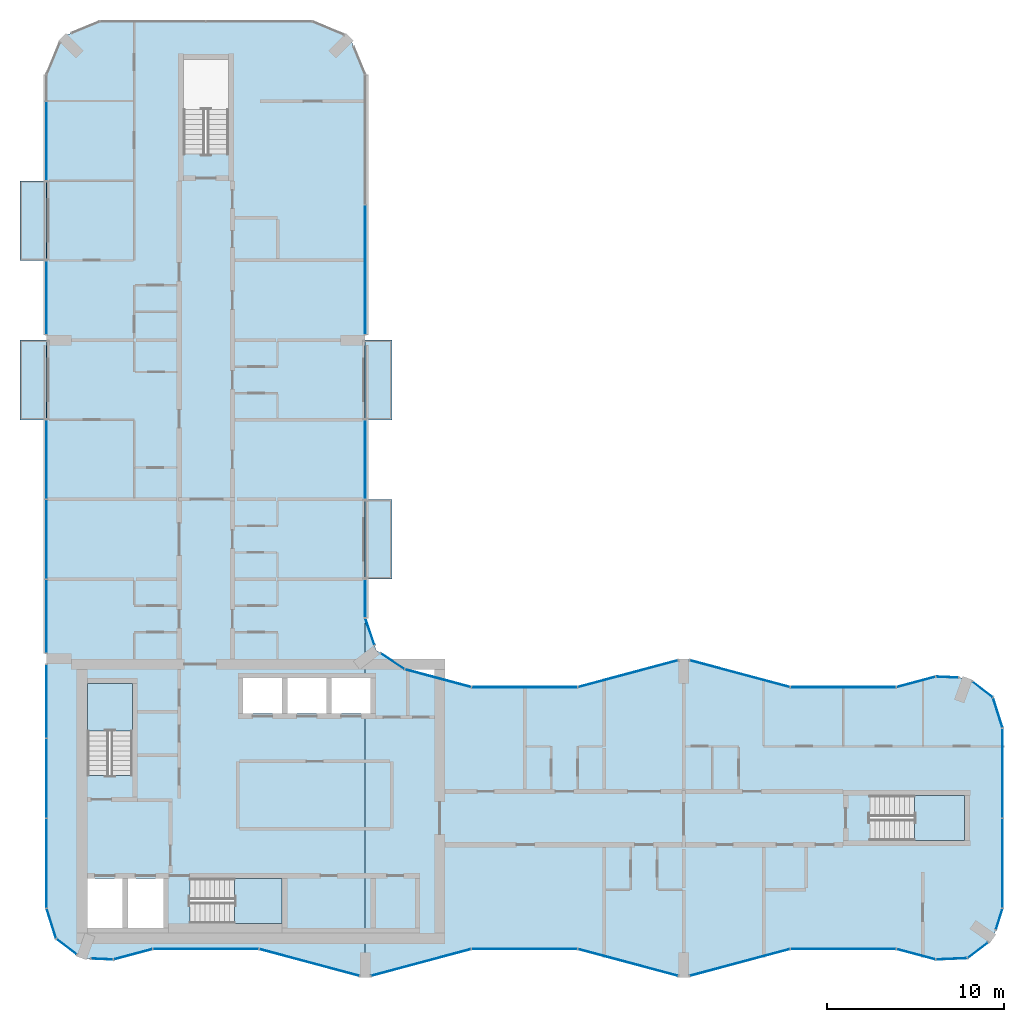
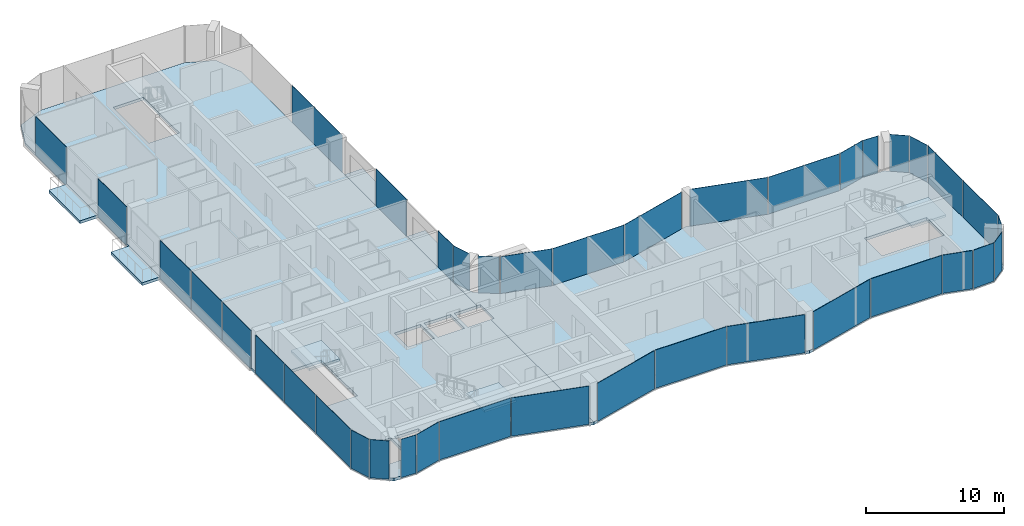
# One storey, part 8 of 15: 39 plates, 9 slabs, 37 elements without a shape of their own.
"""IFC4 building model written with IfcOpenShell, lengths in metres."""

import ifcopenshell
import ifcopenshell.guid

model = None  # the IFC model being written
_history = None  # IfcOwnerHistory: only IFC2X3 demands one
_inside = {}  # id of a spatial element -> (the spatial element, [elements in it])
_under = {}  # id of a project, library or spatial element -> (it, [spatial elements below it])
_declared = {}  # id of a project -> (the project, [libraries it declares])
_typed = {}  # id of a type object -> (the type object, [elements of that type])
_made_of = {}  # id of a material, layer set ... -> (it, [elements and type objects made of it])


def new_model(schema):
    """Start an empty IFC model of exactly this schema.

    Asked for "IFC4X3", IfcOpenShell would pick the latest addendum, in which some entities
    have other attributes; the version numbers below select the first issue.
    IFC2X3 requires an IfcOwnerHistory on every rooted entity: one is made here for all.
    """
    global model, _history
    if schema == "IFC4X3":
        model = ifcopenshell.file(schema_version=(4, 3, 0, 0))
    else:
        model = ifcopenshell.file(schema=schema)
    _inside.clear()
    _under.clear()
    _declared.clear()
    _typed.clear()
    _made_of.clear()
    _history = None
    if model.schema == "IFC2X3":
        org = make("IfcOrganization", Name="unknown")
        user = make(
            "IfcPersonAndOrganization",
            ThePerson=make("IfcPerson", FamilyName="unknown"),
            TheOrganization=org,
        )
        app = make(
            "IfcApplication",
            ApplicationDeveloper=org,
            Version="unknown",
            ApplicationFullName="unknown",
            ApplicationIdentifier="unknown",
        )
        _history = make(
            "IfcOwnerHistory",
            OwningUser=user,
            OwningApplication=app,
            ChangeAction="ADDED",
            CreationDate=0,
        )
    return model


def make(cls, **values):
    """One entity of the class cls with the attributes given. An attribute that is None is left unset."""
    return model.create_entity(
        cls, **{name: value for name, value in values.items() if value is not None}
    )


def rooted(cls, **values):
    """An entity with a GlobalId (a new one), such as an element, a storey or a relation."""
    return make(cls, GlobalId=ifcopenshell.guid.new(), OwnerHistory=_history, **values)


def si_unit(unit_type, name, prefix=None):
    """IfcSIUnit, for example si_unit("LENGTHUNIT", "METRE", prefix="MILLI")."""
    return make("IfcSIUnit", UnitType=unit_type, Prefix=prefix, Name=name)


def assignment(units):
    """IfcUnitAssignment: the units of a project."""
    return None if units is None else make("IfcUnitAssignment", Units=units)


def point(xyz):
    """IfcCartesianPoint."""
    return None if xyz is None else make("IfcCartesianPoint", Coordinates=xyz)


def direction(xyz):
    """IfcDirection."""
    return None if xyz is None else make("IfcDirection", DirectionRatios=xyz)


def frame(location, z_axis=None, x_axis=None):
    """IfcAxis2Placement3D, a coordinate frame: its origin and axes. An axis left out is left unset."""
    return make(
        "IfcAxis2Placement3D",
        Location=point(location),
        Axis=direction(z_axis),
        RefDirection=direction(x_axis),
    )


def frame_2d(location, x_axis=None):
    """IfcAxis2Placement2D, a coordinate frame in the plane: its origin and x axis."""
    return make(
        "IfcAxis2Placement2D", Location=point(location), RefDirection=direction(x_axis)
    )


def origin():
    """The frame at (0, 0, 0) with its axes left unset."""
    return frame((0.0, 0.0, 0.0))


def origin_2d():
    """The frame at (0, 0) in the plane with its x axis left unset."""
    return frame_2d((0.0, 0.0))


def place(relative_to, where):
    """IfcLocalPlacement: puts the frame where relative to a parent placement (None: the world)."""
    return make(
        "IfcLocalPlacement", PlacementRelTo=relative_to, RelativePlacement=where
    )


def context(
    kind, dimensions, precision=None, world=None, true_north=None, identifier=None
):
    """IfcGeometricRepresentationContext, for example the 3D "Model" context."""
    return make(
        "IfcGeometricRepresentationContext",
        ContextIdentifier=identifier,
        ContextType=kind,
        CoordinateSpaceDimension=dimensions,
        Precision=precision,
        WorldCoordinateSystem=world,
        TrueNorth=true_north,
    )


def subcontext(parent, identifier, kind, view, scale=None):
    """IfcGeometricRepresentationSubContext, for example "Body" below "Model"."""
    return make(
        "IfcGeometricRepresentationSubContext",
        ContextIdentifier=identifier,
        ContextType=kind,
        ParentContext=parent,
        TargetScale=scale,
        TargetView=view,
    )


def project(units=None, contexts=None):
    """IfcProject with its units and contexts."""
    return rooted(
        "IfcProject",
        Name="project",
        RepresentationContexts=contexts,
        UnitsInContext=assignment(units),
    )


def spatial(cls, under=None, at=None, **own):
    """A site, building, storey or space (cls), placed at a placement, below another one or the project."""
    s = rooted(cls, ObjectPlacement=at, **own)
    if under is not None:
        _under.setdefault(under.id(), (under, []))[1].append(s)
    return s


def polyline(points):
    """IfcPolyline through the points."""
    return make("IfcPolyline", Points=[point(p) for p in points])


def profile(cls, at=None, kind="AREA", **sizes):
    """A parametric profile (cls). Its sizes go by their IFC names, for example OverallWidth=200.0."""
    return make(cls, ProfileType=kind, Position=at, **sizes)


def rectangle(**sizes):
    """IfcRectangleProfileDef."""
    return profile("IfcRectangleProfileDef", **sizes)


def outline(outer, holes=None, kind="AREA"):
    """IfcArbitraryClosedProfileDef: a profile drawn as a closed curve; with holes, ...WithVoids."""
    if holes is None:
        return make("IfcArbitraryClosedProfileDef", ProfileType=kind, OuterCurve=outer)
    return make(
        "IfcArbitraryProfileDefWithVoids",
        ProfileType=kind,
        OuterCurve=outer,
        InnerCurves=holes,
    )


def extrude(swept, where, along, depth):
    """IfcExtrudedAreaSolid: the profile swept, set in the frame where, extruded along a direction by depth."""
    return make(
        "IfcExtrudedAreaSolid",
        SweptArea=swept,
        Position=where,
        ExtrudedDirection=direction(along),
        Depth=depth,
    )


def shape(context_of_items, identifier, shape_type, items):
    """IfcShapeRepresentation: the items that make up one representation, for example the "Body"."""
    return make(
        "IfcShapeRepresentation",
        ContextOfItems=context_of_items,
        RepresentationIdentifier=identifier,
        RepresentationType=shape_type,
        Items=items,
    )


def material(Name=None, Category=None):
    """IfcMaterial."""
    return make("IfcMaterial", Name=Name, Category=Category)


def layer(
    of_material, thickness, ventilated=None, Name=None, Category=None, Priority=None
):
    """IfcMaterialLayer: one layer of a wall or slab, of a material (None: an air gap)."""
    return make(
        "IfcMaterialLayer",
        Material=of_material,
        LayerThickness=thickness,
        IsVentilated=ventilated,
        Name=Name,
        Category=Category,
        Priority=Priority,
    )


def layer_set(layers, Name=None):
    """IfcMaterialLayerSet."""
    return make("IfcMaterialLayerSet", MaterialLayers=layers, LayerSetName=Name)


def made_of(thing, what):
    """Note that an element or type object is made of a material, layer set ...; save() writes the relation."""
    if what is not None:
        _made_of.setdefault(what.id(), (what, []))[1].append(thing)
    return thing


def type_object(cls, material=None, **own):
    """A type object (cls), such as IfcWallType, which elements share."""
    return made_of(rooted(cls, **own), material)


def element(
    cls,
    number,
    at=None,
    inside=None,
    cuts=None,
    type_object=None,
    material=None,
    context=None,
    identifier="Body",
    shape_type=None,
    held_by="IfcProductDefinitionShape",
    body=None,
    shapes=None,
    **own,
):
    """One element of the class cls, such as IfcWall. Its Tag is "e" and its number.

    at: its placement. inside: the storey or other place that contains it. cuts: it is an
    opening in that element (IfcRelVoidsElement). A single representation is given by context,
    identifier, shape_type and body (its items); several are given by shapes. held_by: the class
    of the entity that holds the representations. save() writes the other relations.
    """
    e = rooted(cls, Tag="e%d" % number, ObjectPlacement=at, **own)
    if body is not None:
        shapes = [shape(context, identifier, shape_type, body)]
    if shapes is not None:
        e.Representation = make(held_by, Representations=shapes)
    if inside is not None:
        _inside.setdefault(inside.id(), (inside, []))[1].append(e)
    if cuts is not None:
        rooted(
            "IfcRelVoidsElement", RelatingBuildingElement=cuts, RelatedOpeningElement=e
        )
    if type_object is not None:
        _typed.setdefault(type_object.id(), (type_object, []))[1].append(e)
    return made_of(e, material)


def aggregate(whole, parts):
    """IfcRelAggregates: a whole, such as a stair, and the parts it consists of."""
    return rooted("IfcRelAggregates", RelatingObject=whole, RelatedObjects=parts)


def save(model, path):
    """Write the relations noted so far, then the file.

    IfcRelAggregates (storeys below a building ...), IfcRelContainedInSpatialStructure (elements
    in a storey), IfcRelDefinesByType, IfcRelAssociatesMaterial and IfcRelDeclares: one each for
    every whole, place, type object, material and project.
    """
    for whole, parts in _under.values():
        aggregate(whole, parts)
    for where, things in _inside.values():
        rooted(
            "IfcRelContainedInSpatialStructure",
            RelatedElements=things,
            RelatingStructure=where,
        )
    for kind, things in _typed.values():
        rooted("IfcRelDefinesByType", RelatedObjects=things, RelatingType=kind)
    for what, things in _made_of.values():
        rooted("IfcRelAssociatesMaterial", RelatedObjects=things, RelatingMaterial=what)
    for by, libraries in _declared.values():
        rooted("IfcRelDeclares", RelatingContext=by, RelatedDefinitions=libraries)
    model.write(path)


model = new_model("IFC4")

# Units and contexts
model_context = context("Model", 3, precision=1e-05, world=origin(), true_north=direction((0.0, 1.0)))
body_context = subcontext(model_context, "Body", "Model", "MODEL_VIEW")
ifc_project = project(units=[si_unit("LENGTHUNIT", "METRE"), si_unit("AREAUNIT", "SQUARE_METRE"), si_unit("VOLUMEUNIT", "CUBIC_METRE"), si_unit("PLANEANGLEUNIT", "RADIAN"), si_unit("MASSUNIT", "GRAM", prefix="KILO")], contexts=[model_context])

# Site, building, storey
site_placement = place(None, origin())
site = spatial("IfcSite", under=ifc_project, at=site_placement, CompositionType="ELEMENT")
building_placement = place(site_placement, origin())
building = spatial("IfcBuilding", under=site, at=building_placement, Name="Plateau Cross Towers", CompositionType="ELEMENT")
storey_placement = place(building_placement, frame((0.0, 0.0, 170.89990234375)))
storey = spatial("IfcBuildingStorey", under=building, at=storey_placement, Name="L44", CompositionType="ELEMENT", Elevation=170.89990234375)

# Slabs
ifc_material_1 = material(Name="Concrete C40/50", Category="concrete")
ifc_layer_1 = layer(ifc_material_1, 0.25)
ifc_layer_set_1 = layer_set([ifc_layer_1], Name="Concrete C40/50")
slab_type_1 = type_object("IfcSlabType", Name="Balcony slab 250", PredefinedType="FLOOR", material=ifc_layer_set_1)
slab_1_placement = place(storey_placement, frame((0.0, 0.0, -0.25)))
element("IfcSlab", 1, at=slab_1_placement, inside=storey, type_object=slab_type_1, Name="Balcony slab A-BAL-L44-01", PredefinedType="FLOOR", context=body_context, shape_type="SweptSolid", body=[
    extrude(outline(polyline([(0.0, 31.5), (0.0, 36.0), (-1.5, 36.0), (-1.5, 31.5), (0.0, 31.5)])), origin(), (0.0, 0.0, 1.0), 0.25),
])
slab_2_placement = place(storey_placement, frame((0.0, 0.0, -0.25)))
element("IfcSlab", 2, at=slab_2_placement, inside=storey, type_object=slab_type_1, Name="Balcony slab A-BAL-L44-02", PredefinedType="FLOOR", context=body_context, shape_type="SweptSolid", body=[
    extrude(outline(polyline([(0.0, 40.5), (0.0, 45.0), (-1.5, 45.0), (-1.5, 40.5), (0.0, 40.5)])), origin(), (0.0, 0.0, 1.0), 0.25),
])
slab_3_placement = place(storey_placement, frame((0.0, 0.0, -0.25)))
element("IfcSlab", 3, at=slab_3_placement, inside=storey, type_object=slab_type_1, Name="Balcony slab A-BAL-L44-03", PredefinedType="FLOOR", context=body_context, shape_type="SweptSolid", body=[
    extrude(outline(polyline([(19.5, 22.5), (19.5, 27.0), (18.0, 27.0), (18.0, 22.5), (19.5, 22.5)])), origin(), (0.0, 0.0, 1.0), 0.25),
])
slab_4_placement = place(storey_placement, frame((0.0, 0.0, -0.25)))
element("IfcSlab", 4, at=slab_4_placement, inside=storey, type_object=slab_type_1, Name="Balcony slab A-BAL-L44-04", PredefinedType="FLOOR", context=body_context, shape_type="SweptSolid", body=[
    extrude(outline(polyline([(19.5, 31.5), (19.5, 36.0), (18.0, 36.0), (18.0, 31.5), (19.5, 31.5)])), origin(), (0.0, 0.0, 1.0), 0.25),
])

# Curtain wall, plate
ifc_material_2 = material(Name="Dark low-iron glass", Category="glass")
ifc_layer_2 = layer(ifc_material_2, 0.239990234375)
ifc_layer_set_2 = layer_set([ifc_layer_2], Name="Dark low-iron glass")
curtain_wall_type_1 = type_object("IfcCurtainWallType", Name="Curtain wall flush unitised CW-B", PredefinedType="NOTDEFINED", material=ifc_layer_set_2)
curtain_wall_1_placement = place(storey_placement, origin())
curtain_wall_1 = element("IfcCurtainWall", 5, at=curtain_wall_1_placement, inside=storey, type_object=curtain_wall_type_1, Name="ENV/A/L44/A502_10", PredefinedType="NOTDEFINED")
ifc_layer_3 = layer(ifc_material_2, 0.031982421875)
ifc_layer_set_3 = layer_set([ifc_layer_3], Name="Dark low-iron glass")
plate_type_1 = type_object("IfcPlateType", Name="Glass panel 32 flush unitised", PredefinedType="CURTAIN_PANEL", material=ifc_layer_set_3)
plate_1_placement = place(storey_placement, frame((51.125, 1.05078125, -0.1298828125), z_axis=(0.0, 0.0, 1.0), x_axis=(0.999043701491, 0.043722791671, 0.0)))
plate_1 = element("IfcPlate", 6, at=plate_1_placement, type_object=plate_type_1, Name="CW-B panel 1", PredefinedType="CURTAIN_PANEL", context=body_context, shape_type="SweptSolid", body=[
    extrude(rectangle(XDim=1.744140625, YDim=0.031982421875, at=origin_2d()), origin(), (0.0, 0.0, 1.0), 3.3798828125),
])
aggregate(curtain_wall_1, [plate_1])

curtain_wall_2_placement = place(storey_placement, origin())
curtain_wall_2 = element("IfcCurtainWall", 7, at=curtain_wall_2_placement, inside=storey, type_object=curtain_wall_type_1, Name="ENV/A/L44/A520_11", PredefinedType="NOTDEFINED")
plate_2_placement = place(storey_placement, frame((52.60986328125, 1.5380859375, -0.1298828125), z_axis=(0.0, 0.0, 1.0), x_axis=(0.793315514529, 0.608810721331, 0.0)))
plate_2 = element("IfcPlate", 8, at=plate_2_placement, type_object=plate_type_1, Name="CW-B panel 1", PredefinedType="CURTAIN_PANEL", context=body_context, shape_type="SweptSolid", body=[
    extrude(rectangle(XDim=1.41162109375, YDim=0.031982421875, at=origin_2d()), origin(), (0.0, 0.0, 1.0), 3.3798828125),
])
aggregate(curtain_wall_2, [plate_2])

curtain_wall_3_placement = place(storey_placement, origin())
curtain_wall_3 = element("IfcCurtainWall", 9, at=curtain_wall_3_placement, inside=storey, type_object=curtain_wall_type_1, Name="ENV/A/L44/A536_27", PredefinedType="NOTDEFINED")
plate_3_placement = place(storey_placement, frame((53.805419921875, 3.292236328125, -0.1298828125), z_axis=(0.0, 0.0, 1.0), x_axis=(0.300686174994, 0.95372313811, 0.0)))
plate_3 = element("IfcPlate", 10, at=plate_3_placement, type_object=plate_type_1, Name="CW-B panel 1", PredefinedType="CURTAIN_PANEL", context=body_context, shape_type="SweptSolid", body=[
    extrude(rectangle(XDim=1.233642578125, YDim=0.031982421875, at=origin_2d()), origin(), (0.0, 0.0, 1.0), 3.3798828125),
])
aggregate(curtain_wall_3, [plate_3])

# Curtain wall, plates
curtain_wall_4_placement = place(storey_placement, origin())
curtain_wall_4 = element("IfcCurtainWall", 11, at=curtain_wall_4_placement, inside=storey, type_object=curtain_wall_type_1, Name="ENV/A/L44/A540_39", PredefinedType="NOTDEFINED")
plate_4_placement = place(storey_placement, frame((54.0, 6.45458984375, -0.1298828125), z_axis=(0.0, 0.0, 1.0), x_axis=(0.0, 1.0, 0.0)))
plate_4 = element("IfcPlate", 12, at=plate_4_placement, type_object=plate_type_1, Name="CW-B panel 1", PredefinedType="CURTAIN_PANEL", context=body_context, shape_type="SweptSolid", body=[
    extrude(rectangle(XDim=5.03076171875, YDim=0.031982421875, at=origin_2d()), origin(), (0.0, 0.0, 1.0), 3.3798828125),
])
plate_5_placement = place(storey_placement, frame((54.0, 11.54541015625, -0.1298828125), z_axis=(0.0, 0.0, 1.0), x_axis=(0.0, 1.0, 0.0)))
plate_5 = element("IfcPlate", 13, at=plate_5_placement, type_object=plate_type_1, Name="CW-B panel 2", PredefinedType="CURTAIN_PANEL", context=body_context, shape_type="SweptSolid", body=[
    extrude(rectangle(XDim=5.03076171875, YDim=0.031982421875, at=origin_2d()), origin(), (0.0, 0.0, 1.0), 3.3798828125),
])
aggregate(curtain_wall_4, [plate_4, plate_5])

# Curtain wall, plate
curtain_wall_5_placement = place(storey_placement, origin())
curtain_wall_5 = element("IfcCurtainWall", 14, at=curtain_wall_5_placement, inside=storey, type_object=curtain_wall_type_1, Name="ENV/A/L44/A540_141", PredefinedType="NOTDEFINED")
plate_6_placement = place(storey_placement, frame((53.728759765625, 14.951171875, -0.1298828125), z_axis=(0.0, 0.0, 1.0), x_axis=(-0.300686174994, 0.95372313811, 0.0)))
plate_6 = element("IfcPlate", 15, at=plate_6_placement, type_object=plate_type_1, Name="CW-B panel 1", PredefinedType="CURTAIN_PANEL", context=body_context, shape_type="SweptSolid", body=[
    extrude(rectangle(XDim=1.744140625, YDim=0.031982421875, at=origin_2d()), origin(), (0.0, 0.0, 1.0), 3.3798828125),
])
aggregate(curtain_wall_5, [plate_6])

curtain_wall_6_placement = place(storey_placement, origin())
curtain_wall_6 = element("IfcCurtainWall", 16, at=curtain_wall_6_placement, inside=storey, type_object=curtain_wall_type_1, Name="ENV/A/L44/A535_158", PredefinedType="NOTDEFINED")
plate_7_placement = place(storey_placement, frame((52.873779296875, 16.25927734375, -0.1298828125), z_axis=(0.0, 0.0, 1.0), x_axis=(-0.793315514529, 0.608810721331, 0.0)))
plate_7 = element("IfcPlate", 17, at=plate_7_placement, type_object=plate_type_1, Name="CW-B panel 1", PredefinedType="CURTAIN_PANEL", context=body_context, shape_type="SweptSolid", body=[
    extrude(rectangle(XDim=1.41162109375, YDim=0.031982421875, at=origin_2d()), origin(), (0.0, 0.0, 1.0), 3.3798828125),
])
aggregate(curtain_wall_6, [plate_7])

curtain_wall_7_placement = place(storey_placement, origin())
curtain_wall_7 = element("IfcCurtainWall", 18, at=curtain_wall_7_placement, inside=storey, type_object=curtain_wall_type_1, Name="ENV/A/L44/A515_169", PredefinedType="NOTDEFINED")
plate_8_placement = place(storey_placement, frame((50.8701171875, 16.96044921875, -0.1298828125), z_axis=(0.0, 0.0, 1.0), x_axis=(-0.999043701491, 0.043722791671, 0.0)))
plate_8 = element("IfcPlate", 19, at=plate_8_placement, type_object=plate_type_1, Name="CW-B panel 1", PredefinedType="CURTAIN_PANEL", context=body_context, shape_type="SweptSolid", body=[
    extrude(rectangle(XDim=1.233642578125, YDim=0.031982421875, at=origin_2d()), origin(), (0.0, 0.0, 1.0), 3.3798828125),
])
aggregate(curtain_wall_7, [plate_8])

curtain_wall_8_placement = place(storey_placement, origin())
curtain_wall_8 = element("IfcCurtainWall", 20, at=curtain_wall_8_placement, inside=storey, type_object=curtain_wall_type_1, Name="ENV/A/L44/A202_174", PredefinedType="NOTDEFINED")
plate_9_placement = place(storey_placement, frame((19.546630859375, 17.856689453125, -0.1298828125), z_axis=(0.0, 0.0, 1.0), x_axis=(-0.831521253329, 0.555492938984, 0.0)))
plate_9 = element("IfcPlate", 21, at=plate_9_placement, type_object=plate_type_1, Name="CW-B panel 1", PredefinedType="CURTAIN_PANEL", context=body_context, shape_type="SweptSolid", body=[
    extrude(rectangle(XDim=1.56884765625, YDim=0.031982421875, at=origin_2d()), origin(), (0.0, 0.0, 1.0), 3.3798828125),
])
aggregate(curtain_wall_8, [plate_9])

curtain_wall_9_placement = place(storey_placement, origin())
curtain_wall_9 = element("IfcCurtainWall", 22, at=curtain_wall_9_placement, inside=storey, type_object=curtain_wall_type_1, Name="ENV/A/L44/A185_188", PredefinedType="NOTDEFINED")
plate_10_placement = place(storey_placement, frame((18.26171875, 19.531005859375, -0.1298828125), z_axis=(0.0, 0.0, 1.0), x_axis=(-0.321469161574, 0.94692004845, 0.0)))
plate_10 = element("IfcPlate", 23, at=plate_10_placement, type_object=plate_type_1, Name="CW-B panel 1", PredefinedType="CURTAIN_PANEL", context=body_context, shape_type="SweptSolid", body=[
    extrude(rectangle(XDim=1.56884765625, YDim=0.031982421875, at=origin_2d()), origin(), (0.0, 0.0, 1.0), 3.3798828125),
])
aggregate(curtain_wall_9, [plate_10])

curtain_wall_10_placement = place(storey_placement, origin())
curtain_wall_10 = element("IfcCurtainWall", 24, at=curtain_wall_10_placement, inside=storey, type_object=curtain_wall_type_1, Name="ENV/A/L44/A180_203", PredefinedType="NOTDEFINED")
plate_11_placement = place(storey_placement, frame((18.0, 21.396240234375, -0.1298828125), z_axis=(0.0, 0.0, 1.0), x_axis=(0.0, 1.0, 0.0)))
plate_11 = element("IfcPlate", 25, at=plate_11_placement, type_object=plate_type_1, Name="CW-B panel 1", PredefinedType="CURTAIN_PANEL", context=body_context, shape_type="SweptSolid", body=[
    extrude(rectangle(XDim=2.127685546875, YDim=0.031982421875, at=origin_2d()), origin(), (0.0, 0.0, 1.0), 3.3798828125),
])
aggregate(curtain_wall_10, [plate_11])

curtain_wall_11_placement = place(storey_placement, origin())
curtain_wall_11 = element("IfcCurtainWall", 26, at=curtain_wall_11_placement, inside=storey, type_object=curtain_wall_type_1, Name="ENV/A/L44/A180_270", PredefinedType="NOTDEFINED")
plate_12_placement = place(storey_placement, frame((18.0, 29.25, -0.1298828125), z_axis=(0.0, 0.0, 1.0), x_axis=(0.0, 1.0, 0.0)))
plate_12 = element("IfcPlate", 27, at=plate_12_placement, type_object=plate_type_1, Name="CW-B panel 1", PredefinedType="CURTAIN_PANEL", context=body_context, shape_type="SweptSolid", body=[
    extrude(rectangle(XDim=4.419921875, YDim=0.031982421875, at=origin_2d()), origin(), (0.0, 0.0, 1.0), 3.3798828125),
])
aggregate(curtain_wall_11, [plate_12])

curtain_wall_12_placement = place(storey_placement, origin())
curtain_wall_12 = element("IfcCurtainWall", 28, at=curtain_wall_12_placement, inside=storey, type_object=curtain_wall_type_1, Name="ENV/A/L44/A180_363", PredefinedType="NOTDEFINED")
plate_13_placement = place(storey_placement, frame((18.0, 39.97509765625, -0.1298828125), z_axis=(0.0, 0.0, 1.0), x_axis=(0.0, 1.0, 0.0)))
plate_13 = element("IfcPlate", 29, at=plate_13_placement, type_object=plate_type_1, Name="CW-B panel 1", PredefinedType="CURTAIN_PANEL", context=body_context, shape_type="SweptSolid", body=[
    extrude(rectangle(XDim=7.2900390625, YDim=0.031982421875, at=origin_2d()), origin(), (0.0, 0.0, 1.0), 3.3798828125),
])
aggregate(curtain_wall_12, [plate_13])

curtain_wall_13_placement = place(storey_placement, origin())
curtain_wall_13 = element("IfcCurtainWall", 30, at=curtain_wall_13_placement, inside=storey, type_object=curtain_wall_type_1, Name="ENV/A/L44/A0_510", PredefinedType="NOTDEFINED")
plate_14_placement = place(storey_placement, frame((0.0, 47.2548828125, -0.1298828125), z_axis=(0.0, 0.0, 1.0), x_axis=(0.0, -1.0, 0.0)))
plate_14 = element("IfcPlate", 31, at=plate_14_placement, type_object=plate_type_1, Name="CW-B panel 2", PredefinedType="CURTAIN_PANEL", context=body_context, shape_type="SweptSolid", body=[
    extrude(rectangle(XDim=4.429931640625, YDim=0.031982421875, at=origin_2d()), origin(), (0.0, 0.0, 1.0), 3.3798828125),
])
aggregate(curtain_wall_13, [plate_14])

curtain_wall_14_placement = place(storey_placement, origin())
curtain_wall_14 = element("IfcCurtainWall", 32, at=curtain_wall_14_placement, inside=storey, type_object=curtain_wall_type_1, Name="ENV/A/L44/A0_405", PredefinedType="NOTDEFINED")
plate_15_placement = place(storey_placement, frame((0.0, 38.39501953125, -0.1298828125), z_axis=(0.0, 0.0, 1.0), x_axis=(0.0, -1.0, 0.0)))
plate_15 = element("IfcPlate", 33, at=plate_15_placement, type_object=plate_type_1, Name="CW-B panel 1", PredefinedType="CURTAIN_PANEL", context=body_context, shape_type="SweptSolid", body=[
    extrude(rectangle(XDim=4.1298828125, YDim=0.031982421875, at=origin_2d()), origin(), (0.0, 0.0, 1.0), 3.3798828125),
])
aggregate(curtain_wall_14, [plate_15])

# Curtain wall, plates
curtain_wall_15_placement = place(storey_placement, origin())
curtain_wall_15 = element("IfcCurtainWall", 34, at=curtain_wall_15_placement, inside=storey, type_object=curtain_wall_type_1, Name="ENV/A/L44/A0_315", PredefinedType="NOTDEFINED")
plate_16_placement = place(storey_placement, frame((0.0, 29.2451171875, -0.1298828125), z_axis=(0.0, 0.0, 1.0), x_axis=(0.0, -1.0, 0.0)))
plate_16 = element("IfcPlate", 35, at=plate_16_placement, type_object=plate_type_1, Name="CW-B panel 1", PredefinedType="CURTAIN_PANEL", context=body_context, shape_type="SweptSolid", body=[
    extrude(rectangle(XDim=4.429931640625, YDim=0.031982421875, at=origin_2d()), origin(), (0.0, 0.0, 1.0), 3.3798828125),
])
plate_17_placement = place(storey_placement, frame((0.0, 24.75, -0.1298828125), z_axis=(0.0, 0.0, 1.0), x_axis=(0.0, -1.0, 0.0)))
plate_17 = element("IfcPlate", 36, at=plate_17_placement, type_object=plate_type_1, Name="CW-B panel 2", PredefinedType="CURTAIN_PANEL", context=body_context, shape_type="SweptSolid", body=[
    extrude(rectangle(XDim=4.43994140625, YDim=0.031982421875, at=origin_2d()), origin(), (0.0, 0.0, 1.0), 3.3798828125),
])
plate_18_placement = place(storey_placement, frame((0.0, 20.39990234375, -0.1298828125), z_axis=(0.0, 0.0, 1.0), x_axis=(0.0, -1.0, 0.0)))
plate_18 = element("IfcPlate", 37, at=plate_18_placement, type_object=plate_type_1, Name="CW-B panel 3", PredefinedType="CURTAIN_PANEL", context=body_context, shape_type="SweptSolid", body=[
    extrude(rectangle(XDim=4.139892578125, YDim=0.031982421875, at=origin_2d()), origin(), (0.0, 0.0, 1.0), 3.3798828125),
])
aggregate(curtain_wall_15, [plate_16, plate_17, plate_18])

curtain_wall_16_placement = place(storey_placement, origin())
curtain_wall_16 = element("IfcCurtainWall", 38, at=curtain_wall_16_placement, inside=storey, type_object=curtain_wall_type_1, Name="ENV/A/L44/A0_177", PredefinedType="NOTDEFINED")
plate_19_placement = place(storey_placement, frame((0.0, 15.60009765625, -0.1298828125), z_axis=(0.0, 0.0, 1.0), x_axis=(0.0, -1.0, 0.0)))
plate_19 = element("IfcPlate", 39, at=plate_19_placement, type_object=plate_type_1, Name="CW-B panel 1", PredefinedType="CURTAIN_PANEL", context=body_context, shape_type="SweptSolid", body=[
    extrude(rectangle(XDim=4.139892578125, YDim=0.031982421875, at=origin_2d()), origin(), (0.0, 0.0, 1.0), 3.3798828125),
])
plate_20_placement = place(storey_placement, frame((0.0, 11.25, -0.1298828125), z_axis=(0.0, 0.0, 1.0), x_axis=(0.0, -1.0, 0.0)))
plate_20 = element("IfcPlate", 40, at=plate_20_placement, type_object=plate_type_1, Name="CW-B panel 2", PredefinedType="CURTAIN_PANEL", context=body_context, shape_type="SweptSolid", body=[
    extrude(rectangle(XDim=4.43994140625, YDim=0.031982421875, at=origin_2d()), origin(), (0.0, 0.0, 1.0), 3.3798828125),
])
plate_21_placement = place(storey_placement, frame((0.0, 6.45458984375, -0.1298828125), z_axis=(0.0, 0.0, 1.0), x_axis=(0.0, -1.0, 0.0)))
plate_21 = element("IfcPlate", 41, at=plate_21_placement, type_object=plate_type_1, Name="CW-B panel 3", PredefinedType="CURTAIN_PANEL", context=body_context, shape_type="SweptSolid", body=[
    extrude(rectangle(XDim=5.03076171875, YDim=0.031982421875, at=origin_2d()), origin(), (0.0, 0.0, 1.0), 3.3798828125),
])
aggregate(curtain_wall_16, [plate_19, plate_20, plate_21])

# Curtain wall, plate
curtain_wall_17_placement = place(storey_placement, origin())
curtain_wall_17 = element("IfcCurtainWall", 42, at=curtain_wall_17_placement, inside=storey, type_object=curtain_wall_type_1, Name="ENV/A/L44/A0_39", PredefinedType="NOTDEFINED")
plate_22_placement = place(storey_placement, frame((0.271240234375, 3.048828125, -0.1298828125), z_axis=(0.0, 0.0, 1.0), x_axis=(0.300686174994, -0.95372313811, 0.0)))
plate_22 = element("IfcPlate", 43, at=plate_22_placement, type_object=plate_type_1, Name="CW-B panel 1", PredefinedType="CURTAIN_PANEL", context=body_context, shape_type="SweptSolid", body=[
    extrude(rectangle(XDim=1.744140625, YDim=0.031982421875, at=origin_2d()), origin(), (0.0, 0.0, 1.0), 3.3798828125),
])
aggregate(curtain_wall_17, [plate_22])

curtain_wall_18_placement = place(storey_placement, origin())
curtain_wall_18 = element("IfcCurtainWall", 44, at=curtain_wall_18_placement, inside=storey, type_object=curtain_wall_type_1, Name="ENV/A/L44/A5_22", PredefinedType="NOTDEFINED")
plate_23_placement = place(storey_placement, frame((1.126220703125, 1.74072265625, -0.1298828125), z_axis=(0.0, 0.0, 1.0), x_axis=(0.793315514529, -0.608810721331, 0.0)))
plate_23 = element("IfcPlate", 45, at=plate_23_placement, type_object=plate_type_1, Name="CW-B panel 1", PredefinedType="CURTAIN_PANEL", context=body_context, shape_type="SweptSolid", body=[
    extrude(rectangle(XDim=1.41162109375, YDim=0.031982421875, at=origin_2d()), origin(), (0.0, 0.0, 1.0), 3.3798828125),
])
aggregate(curtain_wall_18, [plate_23])

curtain_wall_19_placement = place(storey_placement, origin())
curtain_wall_19 = element("IfcCurtainWall", 46, at=curtain_wall_19_placement, inside=storey, type_object=curtain_wall_type_1, Name="ENV/A/L44/A25_11", PredefinedType="NOTDEFINED")
plate_24_placement = place(storey_placement, frame((3.1298828125, 1.03955078125, -0.1298828125), z_axis=(0.0, 0.0, 1.0), x_axis=(0.999043701491, -0.043722791671, 0.0)))
plate_24 = element("IfcPlate", 47, at=plate_24_placement, type_object=plate_type_1, Name="CW-B panel 1", PredefinedType="CURTAIN_PANEL", context=body_context, shape_type="SweptSolid", body=[
    extrude(rectangle(XDim=1.233642578125, YDim=0.031982421875, at=origin_2d()), origin(), (0.0, 0.0, 1.0), 3.3798828125),
])
aggregate(curtain_wall_19, [plate_24])

ifc_layer_4 = layer(ifc_material_2, 0.260009765625)
ifc_layer_set_4 = layer_set([ifc_layer_4], Name="Dark low-iron glass")
curtain_wall_type_2 = type_object("IfcCurtainWallType", Name="Curtain wall fluted unitised CW-A", PredefinedType="NOTDEFINED", material=ifc_layer_set_4)
curtain_wall_20_placement = place(storey_placement, origin())
curtain_wall_20 = element("IfcCurtainWall", 48, at=curtain_wall_20_placement, inside=storey, type_object=curtain_wall_type_2, Name="ENV/A/L44/A38_10", PredefinedType="NOTDEFINED")
ifc_layer_5 = layer(ifc_material_2, 0.035888671875)
ifc_layer_set_5 = layer_set([ifc_layer_5], Name="Dark low-iron glass")
plate_type_2 = type_object("IfcPlateType", Name="Glass panel 36 fluted unitised", PredefinedType="CURTAIN_PANEL", material=ifc_layer_set_5)
plate_25_placement = place(storey_placement, frame((4.887939453125, 1.30908203125, -0.1298828125), z_axis=(0.0, 0.0, 1.0), x_axis=(0.965957962328, 0.258699081978, 0.0)))
plate_25 = element("IfcPlate", 49, at=plate_25_placement, type_object=plate_type_2, Name="CW-A panel 1", PredefinedType="CURTAIN_PANEL", context=body_context, shape_type="SweptSolid", body=[
    extrude(rectangle(XDim=2.2421875, YDim=0.035888671875, at=origin_2d()), origin(), (0.0, 0.0, 1.0), 3.3798828125),
])
aggregate(curtain_wall_20, [plate_25])

curtain_wall_21_placement = place(storey_placement, origin())
curtain_wall_21 = element("IfcCurtainWall", 50, at=curtain_wall_21_placement, inside=storey, type_object=curtain_wall_type_2, Name="ENV/A/L44/A60_16", PredefinedType="NOTDEFINED")
plate_26_placement = place(storey_placement, frame((9.0, 1.60693359375, -0.1298828125), z_axis=(0.0, 0.0, 1.0), x_axis=(1.0, 0.0, 0.0)))
plate_26 = element("IfcPlate", 51, at=plate_26_placement, type_object=plate_type_2, Name="CW-A panel 1", PredefinedType="CURTAIN_PANEL", context=body_context, shape_type="SweptSolid", body=[
    extrude(rectangle(XDim=5.93994140625, YDim=0.035888671875, at=origin_2d()), origin(), (0.0, 0.0, 1.0), 3.3798828125),
])
aggregate(curtain_wall_21, [plate_26])

curtain_wall_22_placement = place(storey_placement, origin())
curtain_wall_22 = element("IfcCurtainWall", 52, at=curtain_wall_22_placement, inside=storey, type_object=curtain_wall_type_2, Name="ENV/A/L44/A120_16", PredefinedType="NOTDEFINED")
plate_27_placement = place(storey_placement, frame((14.841064453125, 0.845947265625, -0.1298828125), z_axis=(0.0, 0.0, 1.0), x_axis=(0.965957983404, -0.258699003279, 0.0)))
plate_27 = element("IfcPlate", 53, at=plate_27_placement, type_object=plate_type_2, Name="CW-A panel 1", PredefinedType="CURTAIN_PANEL", context=body_context, shape_type="SweptSolid", body=[
    extrude(rectangle(XDim=5.822265625, YDim=0.035888671875, at=origin_2d()), origin(), (0.0, 0.0, 1.0), 3.3798828125),
])
aggregate(curtain_wall_22, [plate_27])

curtain_wall_23_placement = place(storey_placement, origin())
curtain_wall_23 = element("IfcCurtainWall", 54, at=curtain_wall_23_placement, inside=storey, type_object=curtain_wall_type_2, Name="ENV/A/L44/A183_1", PredefinedType="NOTDEFINED")
plate_28_placement = place(storey_placement, frame((21.158935546875, 0.845947265625, -0.1298828125), z_axis=(0.0, 0.0, 1.0), x_axis=(0.965957983404, 0.258699003279, 0.0)))
plate_28 = element("IfcPlate", 55, at=plate_28_placement, type_object=plate_type_2, Name="CW-A panel 1", PredefinedType="CURTAIN_PANEL", context=body_context, shape_type="SweptSolid", body=[
    extrude(rectangle(XDim=5.822265625, YDim=0.035888671875, at=origin_2d()), origin(), (0.0, 0.0, 1.0), 3.3798828125),
])
aggregate(curtain_wall_23, [plate_28])

curtain_wall_24_placement = place(storey_placement, origin())
curtain_wall_24 = element("IfcCurtainWall", 56, at=curtain_wall_24_placement, inside=storey, type_object=curtain_wall_type_2, Name="ENV/A/L44/A240_16", PredefinedType="NOTDEFINED")
plate_29_placement = place(storey_placement, frame((27.0, 1.60693359375, -0.1298828125), z_axis=(0.0, 0.0, 1.0), x_axis=(1.0, 0.0, 0.0)))
plate_29 = element("IfcPlate", 57, at=plate_29_placement, type_object=plate_type_2, Name="CW-A panel 1", PredefinedType="CURTAIN_PANEL", context=body_context, shape_type="SweptSolid", body=[
    extrude(rectangle(XDim=5.93994140625, YDim=0.035888671875, at=origin_2d()), origin(), (0.0, 0.0, 1.0), 3.3798828125),
])
aggregate(curtain_wall_24, [plate_29])

curtain_wall_25_placement = place(storey_placement, origin())
curtain_wall_25 = element("IfcCurtainWall", 58, at=curtain_wall_25_placement, inside=storey, type_object=curtain_wall_type_2, Name="ENV/A/L44/A300_16", PredefinedType="NOTDEFINED")
plate_30_placement = place(storey_placement, frame((32.841064453125, 0.845947265625, -0.1298828125), z_axis=(0.0, 0.0, 1.0), x_axis=(0.965957983404, -0.258699003279, 0.0)))
plate_30 = element("IfcPlate", 59, at=plate_30_placement, type_object=plate_type_2, Name="CW-A panel 1", PredefinedType="CURTAIN_PANEL", context=body_context, shape_type="SweptSolid", body=[
    extrude(rectangle(XDim=5.822265625, YDim=0.035888671875, at=origin_2d()), origin(), (0.0, 0.0, 1.0), 3.3798828125),
])
aggregate(curtain_wall_25, [plate_30])

curtain_wall_26_placement = place(storey_placement, origin())
curtain_wall_26 = element("IfcCurtainWall", 60, at=curtain_wall_26_placement, inside=storey, type_object=curtain_wall_type_2, Name="ENV/A/L44/A363_1", PredefinedType="NOTDEFINED")
plate_31_placement = place(storey_placement, frame((39.158935546875, 0.845947265625, -0.1298828125), z_axis=(0.0, 0.0, 1.0), x_axis=(0.965957983404, 0.258699003279, 0.0)))
plate_31 = element("IfcPlate", 61, at=plate_31_placement, type_object=plate_type_2, Name="CW-A panel 1", PredefinedType="CURTAIN_PANEL", context=body_context, shape_type="SweptSolid", body=[
    extrude(rectangle(XDim=5.822265625, YDim=0.035888671875, at=origin_2d()), origin(), (0.0, 0.0, 1.0), 3.3798828125),
])
aggregate(curtain_wall_26, [plate_31])

curtain_wall_27_placement = place(storey_placement, origin())
curtain_wall_27 = element("IfcCurtainWall", 62, at=curtain_wall_27_placement, inside=storey, type_object=curtain_wall_type_2, Name="ENV/A/L44/A420_16", PredefinedType="NOTDEFINED")
plate_32_placement = place(storey_placement, frame((45.0, 1.60693359375, -0.1298828125), z_axis=(0.0, 0.0, 1.0), x_axis=(1.0, 0.0, 0.0)))
plate_32 = element("IfcPlate", 63, at=plate_32_placement, type_object=plate_type_2, Name="CW-A panel 1", PredefinedType="CURTAIN_PANEL", context=body_context, shape_type="SweptSolid", body=[
    extrude(rectangle(XDim=5.93994140625, YDim=0.035888671875, at=origin_2d()), origin(), (0.0, 0.0, 1.0), 3.3798828125),
])
aggregate(curtain_wall_27, [plate_32])

curtain_wall_28_placement = place(storey_placement, origin())
curtain_wall_28 = element("IfcCurtainWall", 64, at=curtain_wall_28_placement, inside=storey, type_object=curtain_wall_type_2, Name="ENV/A/L44/A480_16", PredefinedType="NOTDEFINED")
plate_33_placement = place(storey_placement, frame((49.112060546875, 1.30908203125, -0.1298828125), z_axis=(0.0, 0.0, 1.0), x_axis=(0.965957962328, -0.258699081978, 0.0)))
plate_33 = element("IfcPlate", 65, at=plate_33_placement, type_object=plate_type_2, Name="CW-A panel 1", PredefinedType="CURTAIN_PANEL", context=body_context, shape_type="SweptSolid", body=[
    extrude(rectangle(XDim=2.2421875, YDim=0.035888671875, at=origin_2d()), origin(), (0.0, 0.0, 1.0), 3.3798828125),
])
aggregate(curtain_wall_28, [plate_33])

curtain_wall_29_placement = place(storey_placement, origin())
curtain_wall_29 = element("IfcCurtainWall", 66, at=curtain_wall_29_placement, inside=storey, type_object=curtain_wall_type_2, Name="ENV/A/L44/A502_170", PredefinedType="NOTDEFINED")
plate_34_placement = place(storey_placement, frame((49.112060546875, 16.69091796875, -0.1298828125), z_axis=(0.0, 0.0, 1.0), x_axis=(-0.965957962328, -0.258699081978, 0.0)))
plate_34 = element("IfcPlate", 67, at=plate_34_placement, type_object=plate_type_2, Name="CW-A panel 1", PredefinedType="CURTAIN_PANEL", context=body_context, shape_type="SweptSolid", body=[
    extrude(rectangle(XDim=2.2421875, YDim=0.035888671875, at=origin_2d()), origin(), (0.0, 0.0, 1.0), 3.3798828125),
])
aggregate(curtain_wall_29, [plate_34])

curtain_wall_30_placement = place(storey_placement, origin())
curtain_wall_30 = element("IfcCurtainWall", 68, at=curtain_wall_30_placement, inside=storey, type_object=curtain_wall_type_2, Name="ENV/A/L44/A480_164", PredefinedType="NOTDEFINED")
plate_35_placement = place(storey_placement, frame((45.0, 16.39306640625, -0.1298828125), z_axis=(0.0, 0.0, 1.0), x_axis=(-1.0, 0.0, 0.0)))
plate_35 = element("IfcPlate", 69, at=plate_35_placement, type_object=plate_type_2, Name="CW-A panel 1", PredefinedType="CURTAIN_PANEL", context=body_context, shape_type="SweptSolid", body=[
    extrude(rectangle(XDim=5.93994140625, YDim=0.035888671875, at=origin_2d()), origin(), (0.0, 0.0, 1.0), 3.3798828125),
])
aggregate(curtain_wall_30, [plate_35])

curtain_wall_31_placement = place(storey_placement, origin())
curtain_wall_31 = element("IfcCurtainWall", 70, at=curtain_wall_31_placement, inside=storey, type_object=curtain_wall_type_2, Name="ENV/A/L44/A420_164", PredefinedType="NOTDEFINED")
plate_36_placement = place(storey_placement, frame((39.158935546875, 17.154052734375, -0.1298828125), z_axis=(0.0, 0.0, 1.0), x_axis=(-0.965957983404, 0.258699003279, 0.0)))
plate_36 = element("IfcPlate", 71, at=plate_36_placement, type_object=plate_type_2, Name="CW-A panel 1", PredefinedType="CURTAIN_PANEL", context=body_context, shape_type="SweptSolid", body=[
    extrude(rectangle(XDim=5.822265625, YDim=0.035888671875, at=origin_2d()), origin(), (0.0, 0.0, 1.0), 3.3798828125),
])
aggregate(curtain_wall_31, [plate_36])

curtain_wall_32_placement = place(storey_placement, origin())
curtain_wall_32 = element("IfcCurtainWall", 72, at=curtain_wall_32_placement, inside=storey, type_object=curtain_wall_type_2, Name="ENV/A/L44/A357_179", PredefinedType="NOTDEFINED")
plate_37_placement = place(storey_placement, frame((32.841064453125, 17.154052734375, -0.1298828125), z_axis=(0.0, 0.0, 1.0), x_axis=(-0.965957983404, -0.258699003279, 0.0)))
plate_37 = element("IfcPlate", 73, at=plate_37_placement, type_object=plate_type_2, Name="CW-A panel 1", PredefinedType="CURTAIN_PANEL", context=body_context, shape_type="SweptSolid", body=[
    extrude(rectangle(XDim=5.822265625, YDim=0.035888671875, at=origin_2d()), origin(), (0.0, 0.0, 1.0), 3.3798828125),
])
aggregate(curtain_wall_32, [plate_37])

curtain_wall_33_placement = place(storey_placement, origin())
curtain_wall_33 = element("IfcCurtainWall", 74, at=curtain_wall_33_placement, inside=storey, type_object=curtain_wall_type_2, Name="ENV/A/L44/A300_164", PredefinedType="NOTDEFINED")
plate_38_placement = place(storey_placement, frame((27.0, 16.39306640625, -0.1298828125), z_axis=(0.0, 0.0, 1.0), x_axis=(-1.0, 0.0, 0.0)))
plate_38 = element("IfcPlate", 75, at=plate_38_placement, type_object=plate_type_2, Name="CW-A panel 1", PredefinedType="CURTAIN_PANEL", context=body_context, shape_type="SweptSolid", body=[
    extrude(rectangle(XDim=5.93994140625, YDim=0.035888671875, at=origin_2d()), origin(), (0.0, 0.0, 1.0), 3.3798828125),
])
aggregate(curtain_wall_33, [plate_38])

curtain_wall_34_placement = place(storey_placement, origin())
curtain_wall_34 = element("IfcCurtainWall", 76, at=curtain_wall_34_placement, inside=storey, type_object=curtain_wall_type_2, Name="ENV/A/L44/A240_164", PredefinedType="NOTDEFINED")
plate_39_placement = place(storey_placement, frame((22.112060546875, 16.898681640625, -0.1298828125), z_axis=(0.0, 0.0, 1.0), x_axis=(-0.965957995816, 0.258698956933, 0.0)))
plate_39 = element("IfcPlate", 77, at=plate_39_placement, type_object=plate_type_2, Name="CW-A panel 1", PredefinedType="CURTAIN_PANEL", context=body_context, shape_type="SweptSolid", body=[
    extrude(rectangle(XDim=3.84912109375, YDim=0.035888671875, at=origin_2d()), origin(), (0.0, 0.0, 1.0), 3.3798828125),
])
aggregate(curtain_wall_34, [plate_39])

# Slabs
ifc_layer_6 = layer(ifc_material_1, 0.25)
ifc_layer_set_6 = layer_set([ifc_layer_6], Name="Concrete C40/50")
slab_type_2 = type_object("IfcSlabType", Name="Post-tensioned flat plate slab 250", PredefinedType="FLOOR", material=ifc_layer_set_6)
slab_5_placement = place(storey_placement, frame((0.0, 0.0, -0.25)))
element("IfcSlab", 78, at=slab_5_placement, inside=storey, type_object=slab_type_2, Name="SL-A-L44 1", PredefinedType="FLOOR", context=body_context, shape_type="SweptSolid", body=[
    extrude(outline(polyline([(0.54248046875, 2.1884765625), (0.0, 3.9091796875), (0.0, 51.0), (0.878662109375, 53.121337890625), (3.0, 54.0), (15.0, 54.0), (17.121337890625, 53.121337890625), (18.0, 51.0), (18.0, 20.30224609375), (18.0, 16.89990234375), (16.10009765625, 16.89990234375), (16.10009765625, 14.89990234375), (18.0, 14.89990234375), (18.0, 0.0), (12.0, 1.60693359375), (6.0, 1.60693359375), (3.776123046875, 1.01123046875), (1.9736328125, 1.090087890625), (0.54248046875, 2.1884765625)]), holes=[polyline([(2.300048828125, 5.60009765625), (2.300048828125, 2.800048828125), (4.300048828125, 2.800048828125), (4.300048828125, 5.60009765625), (2.300048828125, 5.60009765625)]), polyline([(4.60009765625, 5.60009765625), (4.60009765625, 2.800048828125), (6.60009765625, 2.800048828125), (6.60009765625, 5.60009765625), (4.60009765625, 5.60009765625)]), polyline([(8.10009765625, 5.60009765625), (8.10009765625, 3.050048828125), (13.300048828125, 3.050048828125), (13.300048828125, 5.60009765625), (8.10009765625, 5.60009765625)]), polyline([(2.300048828125, 11.39990234375), (4.85009765625, 11.39990234375), (4.85009765625, 16.60009765625), (2.300048828125, 16.60009765625), (2.300048828125, 11.39990234375)]), polyline([(11.10009765625, 16.89990234375), (11.10009765625, 14.89990234375), (13.300048828125, 14.89990234375), (13.300048828125, 16.89990234375), (11.10009765625, 16.89990234375)]), polyline([(13.60009765625, 16.89990234375), (13.60009765625, 14.89990234375), (15.800048828125, 14.89990234375), (15.800048828125, 16.89990234375), (13.60009765625, 16.89990234375)]), polyline([(7.72509765625, 51.699951171875), (7.72509765625, 46.5), (10.27490234375, 46.5), (10.27490234375, 51.699951171875), (7.72509765625, 51.699951171875)])]), origin(), (0.0, 0.0, 1.0), 0.25),
])
slab_6_placement = place(storey_placement, frame((0.0, 0.0, -0.25)))
element("IfcSlab", 79, at=slab_6_placement, inside=storey, type_object=slab_type_2, Name="SL-A-L44 2", PredefinedType="FLOOR", context=body_context, shape_type="SweptSolid", body=[
    extrude(outline(polyline([(18.6201171875, 18.475830078125), (20.223876953125, 17.404296875), (24.0, 16.39306640625), (30.0, 16.39306640625), (36.0, 18.0), (42.0, 16.39306640625), (48.0, 16.39306640625), (50.223876953125, 16.98876953125), (52.0263671875, 16.909912109375), (53.45751953125, 15.8115234375), (54.0, 14.0908203125), (54.0, 3.9091796875), (53.45751953125, 2.1884765625), (52.0263671875, 1.090087890625), (50.223876953125, 1.01123046875), (48.0, 1.60693359375), (42.0, 1.60693359375), (36.0, 0.0), (30.0, 1.60693359375), (24.0, 1.60693359375), (18.0, 0.0), (18.0, 14.89990234375), (18.300048828125, 14.89990234375), (18.300048828125, 16.89990234375), (18.0, 16.89990234375), (18.0, 20.30224609375), (18.6201171875, 18.475830078125)]), holes=[polyline([(46.5, 10.27490234375), (46.5, 7.72509765625), (51.699951171875, 7.72509765625), (51.699951171875, 10.27490234375), (46.5, 10.27490234375)])]), origin(), (0.0, 0.0, 1.0), 0.25),
])

# Stair, slab
stair_type = type_object("IfcStairType", Name="ST-TWR", PredefinedType="HALF_TURN_STAIR", material=ifc_material_1)
stair_1_placement = place(storey_placement, origin())
stair_1 = element("IfcStair", 80, at=stair_1_placement, inside=storey, type_object=stair_type, Name="L44 Protected Exit Stair ST-1", PredefinedType="HALF_TURN_STAIR")
ifc_layer_7 = layer(ifc_material_1, 0.199951171875)
ifc_layer_set_7 = layer_set([ifc_layer_7], Name="Concrete C40/50")
slab_type_3 = type_object("IfcSlabType", Name="SL-LANDING", PredefinedType="LANDING", material=ifc_layer_set_7)
slab_7_placement = place(storey_placement, frame((0.0, 0.0, 1.550048828125)))
slab_7 = element("IfcSlab", 81, at=slab_7_placement, type_object=slab_type_3, Name="ST-1 landing 1", PredefinedType="LANDING", context=body_context, shape_type="SweptSolid", body=[
    extrude(outline(polyline([(4.85009765625, 13.919921875), (4.85009765625, 16.60009765625), (2.300048828125, 16.60009765625), (2.300048828125, 13.919921875), (4.85009765625, 13.919921875)])), origin(), (0.0, 0.0, 1.0), 0.199951171875),
])
aggregate(stair_1, [slab_7])

stair_2_placement = place(storey_placement, origin())
stair_2 = element("IfcStair", 82, at=stair_2_placement, inside=storey, type_object=stair_type, Name="L44 Protected Exit Stair ST-2", PredefinedType="HALF_TURN_STAIR")
slab_8_placement = place(storey_placement, frame((0.0, 0.0, 1.550048828125)))
slab_8 = element("IfcSlab", 83, at=slab_8_placement, type_object=slab_type_3, Name="ST-2 landing 1", PredefinedType="LANDING", context=body_context, shape_type="SweptSolid", body=[
    extrude(outline(polyline([(10.6201171875, 3.050048828125), (13.300048828125, 3.050048828125), (13.300048828125, 5.60009765625), (10.6201171875, 5.60009765625), (10.6201171875, 3.050048828125)])), origin(), (0.0, 0.0, 1.0), 0.199951171875),
])
aggregate(stair_2, [slab_8])

stair_3_placement = place(storey_placement, origin())
stair_3 = element("IfcStair", 84, at=stair_3_placement, inside=storey, type_object=stair_type, Name="L44 Protected Exit Stair E", PredefinedType="HALF_TURN_STAIR")
slab_9_placement = place(storey_placement, frame((0.0, 0.0, 1.550048828125)))
slab_9 = element("IfcSlab", 85, at=slab_9_placement, type_object=slab_type_3, Name="ES-E landing 1", PredefinedType="LANDING", context=body_context, shape_type="SweptSolid", body=[
    extrude(outline(polyline([(49.02001953125, 7.72509765625), (51.85009765625, 7.72509765625), (51.85009765625, 10.27490234375), (49.02001953125, 10.27490234375), (49.02001953125, 7.72509765625)])), origin(), (0.0, 0.0, 1.0), 0.199951171875),
])
aggregate(stair_3, [slab_9])

save(model, "model.ifc")
